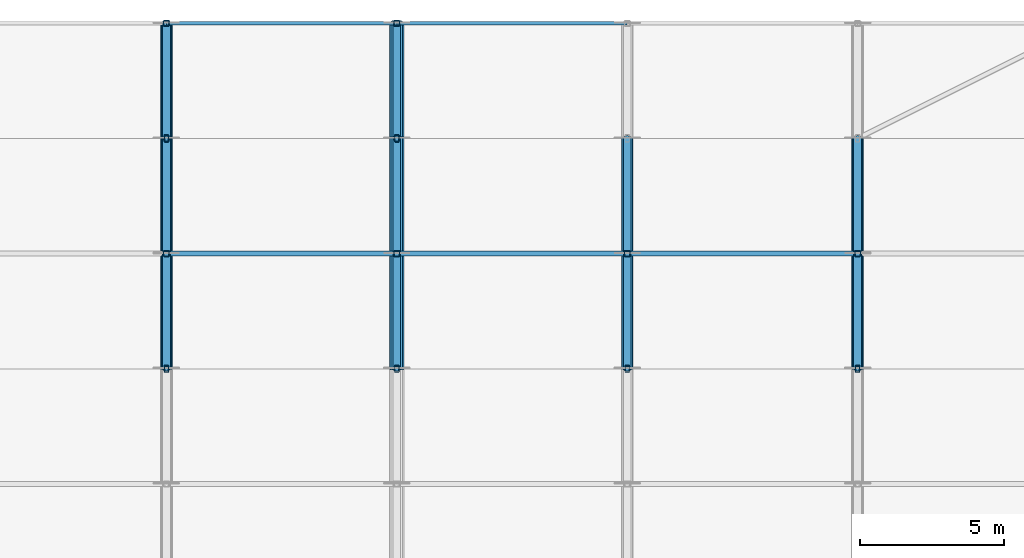
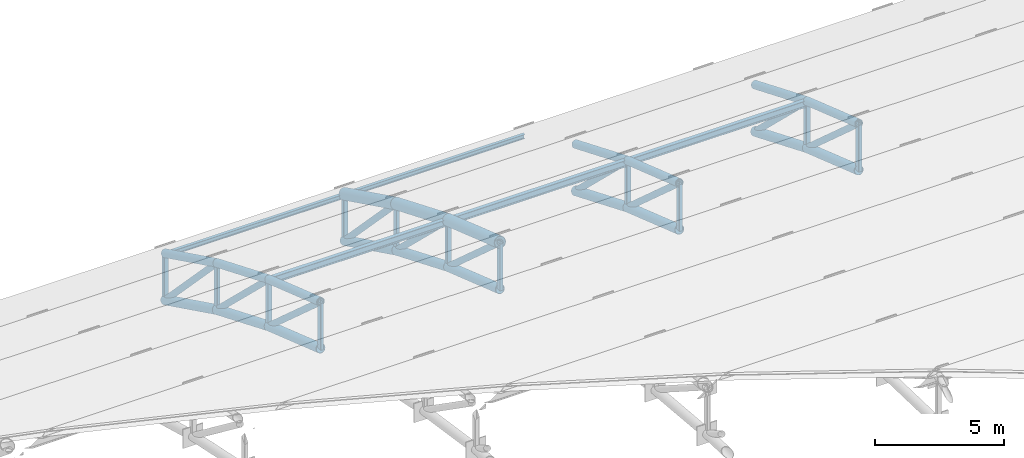
# One storey, part 33 of 98: 47 members.
"""IFC4 building model written with IfcOpenShell, lengths in metres."""

from ifc_helpers import new_model, si_unit, direction, frame, origin, origin_2d, place, context, subcontext, project, spatial, hollow_rectangle, hollow_circle, i_section, extrude, material, material_profile, profile_set, type_object, element, save


model = new_model("IFC4")

# Units and contexts
model_context = context("Model", 3, precision=1e-05, world=origin(), true_north=direction((0.0, 1.0)))
body_context = subcontext(model_context, "Body", "Model", "MODEL_VIEW")
ifc_project = project(units=[si_unit("LENGTHUNIT", "METRE"), si_unit("AREAUNIT", "SQUARE_METRE"), si_unit("VOLUMEUNIT", "CUBIC_METRE"), si_unit("PLANEANGLEUNIT", "RADIAN"), si_unit("MASSUNIT", "GRAM", prefix="KILO")], contexts=[model_context])

# Site, building, storey
site_placement = place(None, origin())
site = spatial("IfcSite", under=ifc_project, at=site_placement, CompositionType="ELEMENT")
building_placement = place(site_placement, origin())
building = spatial("IfcBuilding", under=site, at=building_placement, Name="Tlacozan Convention Centre", CompositionType="ELEMENT")
storey_placement = place(building_placement, frame((0.0, 0.0, 25.800048828125)))
storey = spatial("IfcBuildingStorey", under=building, at=storey_placement, Name="Roof", CompositionType="ELEMENT", Elevation=25.800048828125)

# Members
ifc_material_1 = material(Name="Steel ASTM A500 Grade C", Category="steel")
ifc_material_profile_1 = material_profile(ifc_material_1, hollow_circle(Radius=0.203125, WallThickness=0.015869140625, at=origin_2d()), Name="OC 406.4x15.9")
ifc_profile_set_1 = profile_set([ifc_material_profile_1], Name="Steel ASTM A500 Grade C")
member_type_1 = type_object("IfcMemberType", Name="Arch Bottom Chord OC 406.4x15.9", PredefinedType="CHORD", material=ifc_profile_set_1)
member_1_placement = place(storey_placement, frame((64.0, 114.0, -7.807861328125), z_axis=(0.0, 0.946164915813, -0.323684958077), x_axis=(-1.0, 0.0, 0.0)))
element("IfcMember", 1, at=member_1_placement, inside=storey, type_object=member_type_1, Name="V2A Roof Truss 9 Bottom Chord 14", PredefinedType="CHORD", context=body_context, shape_type="SweptSolid", body=[
    extrude(hollow_circle(Radius=0.203125, WallThickness=0.015869140625, at=origin_2d()), origin(), (0.0, 0.0, 1.0), 4.2275390625),
])
member_2_placement = place(storey_placement, frame((64.0, 118.0, -9.17626953125), z_axis=(0.0, 0.923948802258, -0.382516157575), x_axis=(-1.0, 0.0, 0.0)))
element("IfcMember", 2, at=member_2_placement, inside=storey, type_object=member_type_1, Name="V2A Roof Truss 9 Bottom Chord 15", PredefinedType="CHORD", context=body_context, shape_type="SweptSolid", body=[
    extrude(hollow_circle(Radius=0.203125, WallThickness=0.015869140625, at=origin_2d()), origin(), (0.0, 0.0, 1.0), 4.329345703125),
])
member_3_placement = place(storey_placement, frame((64.0, 122.0, -10.832275390625), z_axis=(0.0, 0.897300183135, -0.441420866459), x_axis=(-1.0, 0.0, 0.0)))
element("IfcMember", 3, at=member_3_placement, inside=storey, type_object=member_type_1, Name="V2A Roof Truss 9 Bottom Chord 16", PredefinedType="CHORD", context=body_context, shape_type="SweptSolid", body=[
    extrude(hollow_circle(Radius=0.203125, WallThickness=0.015869140625, at=origin_2d()), origin(), (0.0, 0.0, 1.0), 4.457763671875),
])
member_4_placement = place(storey_placement, frame((72.0, 114.0, -7.807861328125), z_axis=(0.0, 0.946164915813, -0.323684958077), x_axis=(-1.0, 0.0, 0.0)))
element("IfcMember", 4, at=member_4_placement, inside=storey, type_object=member_type_1, Name="V2A Roof Truss 10 Bottom Chord 14", PredefinedType="CHORD", context=body_context, shape_type="SweptSolid", body=[
    extrude(hollow_circle(Radius=0.203125, WallThickness=0.015869140625, at=origin_2d()), origin(), (0.0, 0.0, 1.0), 4.2275390625),
])
member_5_placement = place(storey_placement, frame((72.0, 118.0, -9.17626953125), z_axis=(0.0, 0.923948802258, -0.382516157575), x_axis=(-1.0, 0.0, 0.0)))
element("IfcMember", 5, at=member_5_placement, inside=storey, type_object=member_type_1, Name="V2A Roof Truss 10 Bottom Chord 15", PredefinedType="CHORD", context=body_context, shape_type="SweptSolid", body=[
    extrude(hollow_circle(Radius=0.203125, WallThickness=0.015869140625, at=origin_2d()), origin(), (0.0, 0.0, 1.0), 4.329345703125),
])
member_6_placement = place(storey_placement, frame((72.0, 122.0, -10.832275390625), z_axis=(0.0, 0.897300183135, -0.441420866459), x_axis=(-1.0, 0.0, 0.0)))
element("IfcMember", 6, at=member_6_placement, inside=storey, type_object=member_type_1, Name="V2A Roof Truss 10 Bottom Chord 16", PredefinedType="CHORD", context=body_context, shape_type="SweptSolid", body=[
    extrude(hollow_circle(Radius=0.203125, WallThickness=0.015869140625, at=origin_2d()), origin(), (0.0, 0.0, 1.0), 4.457763671875),
])
member_7_placement = place(storey_placement, frame((80.0, 114.0, -7.807861328125), z_axis=(0.0, 0.946164915813, -0.323684958077), x_axis=(-1.0, 0.0, 0.0)))
element("IfcMember", 7, at=member_7_placement, inside=storey, type_object=member_type_1, Name="V2A Roof Truss 11 Bottom Chord 14", PredefinedType="CHORD", context=body_context, shape_type="SweptSolid", body=[
    extrude(hollow_circle(Radius=0.203125, WallThickness=0.015869140625, at=origin_2d()), origin(), (0.0, 0.0, 1.0), 4.2275390625),
])
member_8_placement = place(storey_placement, frame((80.0, 118.0, -9.17626953125), z_axis=(0.0, 0.923948802258, -0.382516157575), x_axis=(-1.0, 0.0, 0.0)))
element("IfcMember", 8, at=member_8_placement, inside=storey, type_object=member_type_1, Name="V2A Roof Truss 11 Bottom Chord 15", PredefinedType="CHORD", context=body_context, shape_type="SweptSolid", body=[
    extrude(hollow_circle(Radius=0.203125, WallThickness=0.015869140625, at=origin_2d()), origin(), (0.0, 0.0, 1.0), 4.329345703125),
])
member_9_placement = place(storey_placement, frame((88.0, 114.0, -7.807861328125), z_axis=(0.0, 0.946164915813, -0.323684958077), x_axis=(-1.0, 0.0, 0.0)))
element("IfcMember", 9, at=member_9_placement, inside=storey, type_object=member_type_1, Name="V2A Roof Truss 12 Bottom Chord 14", PredefinedType="CHORD", context=body_context, shape_type="SweptSolid", body=[
    extrude(hollow_circle(Radius=0.203125, WallThickness=0.015869140625, at=origin_2d()), origin(), (0.0, 0.0, 1.0), 4.2275390625),
])
member_10_placement = place(storey_placement, frame((88.0, 118.0, -9.17626953125), z_axis=(0.0, 0.923948802258, -0.382516157575), x_axis=(-1.0, 0.0, 0.0)))
element("IfcMember", 10, at=member_10_placement, inside=storey, type_object=member_type_1, Name="V2A Roof Truss 12 Bottom Chord 15", PredefinedType="CHORD", context=body_context, shape_type="SweptSolid", body=[
    extrude(hollow_circle(Radius=0.203125, WallThickness=0.015869140625, at=origin_2d()), origin(), (0.0, 0.0, 1.0), 4.329345703125),
])
ifc_material_profile_2 = material_profile(ifc_material_1, hollow_circle(Radius=0.25390625, WallThickness=0.01904296875, at=origin_2d()), Name="OC 508.0x19.1")
ifc_profile_set_2 = profile_set([ifc_material_profile_2], Name="Steel ASTM A500 Grade C")
member_type_2 = type_object("IfcMemberType", Name="Arch Top Chord OC 508x19.1", PredefinedType="CHORD", material=ifc_profile_set_2)
member_11_placement = place(storey_placement, frame((72.0, 114.0, -5.607666015625), z_axis=(0.0, 0.946164915813, -0.323684958077), x_axis=(-1.0, 0.0, 0.0)))
element("IfcMember", 11, at=member_11_placement, inside=storey, type_object=member_type_2, Name="V2A Roof Truss 10 Top Chord 14", PredefinedType="CHORD", context=body_context, shape_type="SweptSolid", body=[
    extrude(hollow_circle(Radius=0.25390625, WallThickness=0.01904296875, at=origin_2d()), origin(), (0.0, 0.0, 1.0), 4.2275390625),
])
member_12_placement = place(storey_placement, frame((72.0, 118.0, -6.97607421875), z_axis=(0.0, 0.923928870591, -0.382564297979), x_axis=(-1.0, 0.0, 0.0)))
element("IfcMember", 12, at=member_12_placement, inside=storey, type_object=member_type_2, Name="V2A Roof Truss 10 Top Chord 15", PredefinedType="CHORD", context=body_context, shape_type="SweptSolid", body=[
    extrude(hollow_circle(Radius=0.25390625, WallThickness=0.01904296875, at=origin_2d()), origin(), (0.0, 0.0, 1.0), 4.329345703125),
])
member_13_placement = place(storey_placement, frame((72.0, 122.0, -8.63232421875), z_axis=(0.0, 0.897300183135, -0.441420866459), x_axis=(-1.0, 0.0, 0.0)))
element("IfcMember", 13, at=member_13_placement, inside=storey, type_object=member_type_2, Name="V2A Roof Truss 10 Top Chord 16", PredefinedType="CHORD", context=body_context, shape_type="SweptSolid", body=[
    extrude(hollow_circle(Radius=0.25390625, WallThickness=0.01904296875, at=origin_2d()), origin(), (0.0, 0.0, 1.0), 4.457763671875),
])
ifc_material_profile_3 = material_profile(ifc_material_1, hollow_circle(Radius=0.136474609375, WallThickness=0.0126953125, at=origin_2d()), Name="OC 273.1x12.7")
ifc_profile_set_3 = profile_set([ifc_material_profile_3], Name="Steel ASTM A500 Grade C")
member_type_3 = type_object("IfcMemberType", Name="Arch Web Diagonal OC 273.1x12.7", PredefinedType="BRACE", material=ifc_profile_set_3)
member_14_placement = place(storey_placement, frame((64.0, 114.0, -5.607666015625), z_axis=(0.0, 0.746199427712, -0.665722475272), x_axis=(-1.0, 0.0, 0.0)))
element("IfcMember", 14, at=member_14_placement, inside=storey, type_object=member_type_3, Name="V2A Roof Truss 9 Web Diagonal 14", PredefinedType="BRACE", context=body_context, shape_type="SweptSolid", body=[
    extrude(hollow_circle(Radius=0.136474609375, WallThickness=0.0126953125, at=origin_2d()), origin(), (0.0, 0.0, 1.0), 5.360595703125),
])
member_15_placement = place(storey_placement, frame((64.0, 118.0, -6.97607421875), z_axis=(0.0, 0.719928977367, -0.694047741547), x_axis=(-1.0, 0.0, 0.0)))
element("IfcMember", 15, at=member_15_placement, inside=storey, type_object=member_type_3, Name="V2A Roof Truss 9 Web Diagonal 15", PredefinedType="BRACE", context=body_context, shape_type="SweptSolid", body=[
    extrude(hollow_circle(Radius=0.136474609375, WallThickness=0.0126953125, at=origin_2d()), origin(), (0.0, 0.0, 1.0), 5.55615234375),
])
member_16_placement = place(storey_placement, frame((64.0, 122.0, -8.63232421875), z_axis=(0.0, 0.69244032859, -0.721475149497), x_axis=(-1.0, 0.0, 0.0)))
element("IfcMember", 16, at=member_16_placement, inside=storey, type_object=member_type_3, Name="V2A Roof Truss 9 Web Diagonal 16", PredefinedType="BRACE", context=body_context, shape_type="SweptSolid", body=[
    extrude(hollow_circle(Radius=0.136474609375, WallThickness=0.0126953125, at=origin_2d()), origin(), (0.0, 0.0, 1.0), 5.776611328125),
])
member_17_placement = place(storey_placement, frame((72.0, 114.0, -5.607666015625), z_axis=(0.0, 0.746199427712, -0.665722475272), x_axis=(-1.0, 0.0, 0.0)))
element("IfcMember", 17, at=member_17_placement, inside=storey, type_object=member_type_3, Name="V2A Roof Truss 10 Web Diagonal 14", PredefinedType="BRACE", context=body_context, shape_type="SweptSolid", body=[
    extrude(hollow_circle(Radius=0.136474609375, WallThickness=0.0126953125, at=origin_2d()), origin(), (0.0, 0.0, 1.0), 5.360595703125),
])
member_18_placement = place(storey_placement, frame((72.0, 118.0, -6.97607421875), z_axis=(0.0, 0.719928977367, -0.694047741547), x_axis=(-1.0, 0.0, 0.0)))
element("IfcMember", 18, at=member_18_placement, inside=storey, type_object=member_type_3, Name="V2A Roof Truss 10 Web Diagonal 15", PredefinedType="BRACE", context=body_context, shape_type="SweptSolid", body=[
    extrude(hollow_circle(Radius=0.136474609375, WallThickness=0.0126953125, at=origin_2d()), origin(), (0.0, 0.0, 1.0), 5.55615234375),
])
member_19_placement = place(storey_placement, frame((72.0, 122.0, -8.63232421875), z_axis=(0.0, 0.69244032859, -0.721475149497), x_axis=(-1.0, 0.0, 0.0)))
element("IfcMember", 19, at=member_19_placement, inside=storey, type_object=member_type_3, Name="V2A Roof Truss 10 Web Diagonal 16", PredefinedType="BRACE", context=body_context, shape_type="SweptSolid", body=[
    extrude(hollow_circle(Radius=0.136474609375, WallThickness=0.0126953125, at=origin_2d()), origin(), (0.0, 0.0, 1.0), 5.776611328125),
])
member_20_placement = place(storey_placement, frame((80.0, 114.0, -5.607666015625), z_axis=(0.0, 0.746199427712, -0.665722475272), x_axis=(-1.0, 0.0, 0.0)))
element("IfcMember", 20, at=member_20_placement, inside=storey, type_object=member_type_3, Name="V2A Roof Truss 11 Web Diagonal 14", PredefinedType="BRACE", context=body_context, shape_type="SweptSolid", body=[
    extrude(hollow_circle(Radius=0.136474609375, WallThickness=0.0126953125, at=origin_2d()), origin(), (0.0, 0.0, 1.0), 5.360595703125),
])
member_21_placement = place(storey_placement, frame((80.0, 118.0, -6.97607421875), z_axis=(0.0, 0.719928977367, -0.694047741547), x_axis=(-1.0, 0.0, 0.0)))
element("IfcMember", 21, at=member_21_placement, inside=storey, type_object=member_type_3, Name="V2A Roof Truss 11 Web Diagonal 15", PredefinedType="BRACE", context=body_context, shape_type="SweptSolid", body=[
    extrude(hollow_circle(Radius=0.136474609375, WallThickness=0.0126953125, at=origin_2d()), origin(), (0.0, 0.0, 1.0), 5.55615234375),
])
member_22_placement = place(storey_placement, frame((88.0, 114.0, -5.607666015625), z_axis=(0.0, 0.746199427712, -0.665722475272), x_axis=(-1.0, 0.0, 0.0)))
element("IfcMember", 22, at=member_22_placement, inside=storey, type_object=member_type_3, Name="V2A Roof Truss 12 Web Diagonal 14", PredefinedType="BRACE", context=body_context, shape_type="SweptSolid", body=[
    extrude(hollow_circle(Radius=0.136474609375, WallThickness=0.0126953125, at=origin_2d()), origin(), (0.0, 0.0, 1.0), 5.360595703125),
])
member_23_placement = place(storey_placement, frame((88.0, 118.0, -6.97607421875), z_axis=(0.0, 0.719928977367, -0.694047741547), x_axis=(-1.0, 0.0, 0.0)))
element("IfcMember", 23, at=member_23_placement, inside=storey, type_object=member_type_3, Name="V2A Roof Truss 12 Web Diagonal 15", PredefinedType="BRACE", context=body_context, shape_type="SweptSolid", body=[
    extrude(hollow_circle(Radius=0.136474609375, WallThickness=0.0126953125, at=origin_2d()), origin(), (0.0, 0.0, 1.0), 5.55615234375),
])
ifc_material_profile_4 = material_profile(ifc_material_1, hollow_rectangle(XDim=0.203125, YDim=0.203125, WallThickness=0.0126953125, InnerFilletRadius=0.0126953125, OuterFilletRadius=0.02490234375, at=origin_2d()), Name="OR 203x203x12.7")
ifc_profile_set_4 = profile_set([ifc_material_profile_4], Name="Steel ASTM A500 Grade C")
member_type_4 = type_object("IfcMemberType", Name="Arch Web Strut OR 203x203x12.7", PredefinedType="STRUT", material=ifc_profile_set_4)
member_24_placement = place(storey_placement, frame((64.0, 118.0, -9.17626953125), z_axis=(0.0, 0.0, 1.0), x_axis=(1.0, 0.0, 0.0)))
element("IfcMember", 24, at=member_24_placement, inside=storey, type_object=member_type_4, Name="V2A Roof Truss 9 Vertical Strut 15", PredefinedType="STRUT", context=body_context, shape_type="SweptSolid", body=[
    extrude(hollow_rectangle(XDim=0.203125, YDim=0.203125, WallThickness=0.0126953125, InnerFilletRadius=0.0126953125, OuterFilletRadius=0.02490234375, at=origin_2d()), origin(), (0.0, 0.0, 1.0), 2.2001953125),
])
member_25_placement = place(storey_placement, frame((64.0, 126.0, -12.800048828125), z_axis=(0.0, 0.0, 1.0), x_axis=(1.0, 0.0, 0.0)))
element("IfcMember", 25, at=member_25_placement, inside=storey, type_object=member_type_4, Name="V2A Roof Truss 9 Vertical Strut 17", PredefinedType="STRUT", context=body_context, shape_type="SweptSolid", body=[
    extrude(hollow_rectangle(XDim=0.203125, YDim=0.203125, WallThickness=0.0126953125, InnerFilletRadius=0.0126953125, OuterFilletRadius=0.02490234375, at=origin_2d()), origin(), (0.0, 0.0, 1.0), 2.199951171875),
])
member_26_placement = place(storey_placement, frame((72.0, 118.0, -9.17626953125), z_axis=(0.0, 0.0, 1.0), x_axis=(1.0, 0.0, 0.0)))
element("IfcMember", 26, at=member_26_placement, inside=storey, type_object=member_type_4, Name="V2A Roof Truss 10 Vertical Strut 15", PredefinedType="STRUT", context=body_context, shape_type="SweptSolid", body=[
    extrude(hollow_rectangle(XDim=0.203125, YDim=0.203125, WallThickness=0.0126953125, InnerFilletRadius=0.0126953125, OuterFilletRadius=0.02490234375, at=origin_2d()), origin(), (0.0, 0.0, 1.0), 2.2001953125),
])
member_27_placement = place(storey_placement, frame((72.0, 126.0, -12.800048828125), z_axis=(0.0, 0.0, 1.0), x_axis=(1.0, 0.0, 0.0)))
element("IfcMember", 27, at=member_27_placement, inside=storey, type_object=member_type_4, Name="V2A Roof Truss 10 Vertical Strut 17", PredefinedType="STRUT", context=body_context, shape_type="SweptSolid", body=[
    extrude(hollow_rectangle(XDim=0.203125, YDim=0.203125, WallThickness=0.0126953125, InnerFilletRadius=0.0126953125, OuterFilletRadius=0.02490234375, at=origin_2d()), origin(), (0.0, 0.0, 1.0), 2.199951171875),
])
for number, where, z_axis, x_axis, name in (
    (28, (80.0, 118.0, -9.17626953125), (0.0, 0.0, 1.0), (1.0, 0.0, 0.0), "V2A Roof Truss 11 Vertical Strut 15"),
    (29, (88.0, 118.0, -9.17626953125), (0.0, 0.0, 1.0), (1.0, 0.0, 0.0), "V2A Roof Truss 12 Vertical Strut 15"),
):
    element("IfcMember", number, at=place(storey_placement, frame(where, z_axis=z_axis, x_axis=x_axis)), inside=storey, type_object=member_type_4, Name=name, PredefinedType="STRUT", context=body_context, shape_type="SweptSolid", body=[
        extrude(hollow_rectangle(XDim=0.203125, YDim=0.203125, WallThickness=0.0126953125, InnerFilletRadius=0.0126953125, OuterFilletRadius=0.02490234375, at=origin_2d()), origin(), (0.0, 0.0, 1.0), 2.2001953125),
    ])
ifc_material_2 = material(Name="Steel ASTM A992 Grade 50", Category="steel")
ifc_material_profile_5 = material_profile(ifc_material_2, i_section(OverallWidth=0.1669921875, OverallDepth=0.31689453125, WebThickness=0.007568359375, FlangeThickness=0.01318359375, FilletRadius=0.010009765625, at=origin_2d()), Name="IR 305x52.2")
ifc_profile_set_5 = profile_set([ifc_material_profile_5], Name="Steel ASTM A992 Grade 50")
member_type_5 = type_object("IfcMemberType", Name="Roof Purlin IR 305x52.2", PredefinedType="PURLIN", material=ifc_profile_set_5)
for number, where, z_axis, x_axis, name in (
    (30, (64.0, 118.0, -7.041259765625), (1.0, 0.0, 0.0), (0.0, 1.0, 0.0), "V2A Roof Truss Purlin 9.15"),
    (31, (72.0, 118.0, -7.041259765625), (1.0, 0.0, 0.0), (0.0, 1.0, 0.0), "V2A Roof Truss Purlin 10.15"),
    (32, (80.0, 118.0, -7.041259765625), (1.0, 0.0, 0.0), (0.0, 1.0, 0.0), "V2A Roof Truss Purlin 11.15"),
):
    element("IfcMember", number, at=place(storey_placement, frame(where, z_axis=z_axis, x_axis=x_axis)), inside=storey, type_object=member_type_5, Name=name, PredefinedType="PURLIN", context=body_context, shape_type="SweptSolid", body=[
        extrude(i_section(OverallWidth=0.1669921875, OverallDepth=0.31689453125, WebThickness=0.007568359375, FlangeThickness=0.01318359375, FilletRadius=0.010009765625, at=origin_2d()), origin(), (0.0, 0.0, 1.0), 8.0),
    ])
ifc_material_profile_6 = material_profile(ifc_material_1, hollow_circle(Radius=0.177734375, WallThickness=0.015869140625, at=origin_2d()), Name="OC 355.6x15.9")
ifc_profile_set_6 = profile_set([ifc_material_profile_6], Name="Steel ASTM A500 Grade C")
member_type_6 = type_object("IfcMemberType", Name="Secondary Arch Chord OC 355.6x15.9", PredefinedType="CHORD", material=ifc_profile_set_6)
member_28_placement = place(storey_placement, frame((64.0, 114.0, -5.607666015625), z_axis=(0.0, 0.946164915813, -0.323684958077), x_axis=(-1.0, 0.0, 0.0)))
element("IfcMember", 33, at=member_28_placement, inside=storey, type_object=member_type_6, Name="V2A Roof Truss 9 Top Chord 14", PredefinedType="CHORD", context=body_context, shape_type="SweptSolid", body=[
    extrude(hollow_circle(Radius=0.177734375, WallThickness=0.015869140625, at=origin_2d()), origin(), (0.0, 0.0, 1.0), 4.2275390625),
])
member_29_placement = place(storey_placement, frame((64.0, 118.0, -6.97607421875), z_axis=(0.0, 0.923928870591, -0.382564297979), x_axis=(-1.0, 0.0, 0.0)))
element("IfcMember", 34, at=member_29_placement, inside=storey, type_object=member_type_6, Name="V2A Roof Truss 9 Top Chord 15", PredefinedType="CHORD", context=body_context, shape_type="SweptSolid", body=[
    extrude(hollow_circle(Radius=0.177734375, WallThickness=0.015869140625, at=origin_2d()), origin(), (0.0, 0.0, 1.0), 4.329345703125),
])
member_30_placement = place(storey_placement, frame((64.0, 122.0, -8.63232421875), z_axis=(0.0, 0.897300183135, -0.441420866459), x_axis=(-1.0, 0.0, 0.0)))
element("IfcMember", 35, at=member_30_placement, inside=storey, type_object=member_type_6, Name="V2A Roof Truss 9 Top Chord 16", PredefinedType="CHORD", context=body_context, shape_type="SweptSolid", body=[
    extrude(hollow_circle(Radius=0.177734375, WallThickness=0.015869140625, at=origin_2d()), origin(), (0.0, 0.0, 1.0), 4.457763671875),
])
member_31_placement = place(storey_placement, frame((80.0, 114.0, -5.607666015625), z_axis=(0.0, 0.946164915813, -0.323684958077), x_axis=(-1.0, 0.0, 0.0)))
element("IfcMember", 36, at=member_31_placement, inside=storey, type_object=member_type_6, Name="V2A Roof Truss 11 Top Chord 14", PredefinedType="CHORD", context=body_context, shape_type="SweptSolid", body=[
    extrude(hollow_circle(Radius=0.177734375, WallThickness=0.015869140625, at=origin_2d()), origin(), (0.0, 0.0, 1.0), 4.2275390625),
])
member_32_placement = place(storey_placement, frame((80.0, 118.0, -6.97607421875), z_axis=(0.0, 0.923928870591, -0.382564297979), x_axis=(-1.0, 0.0, 0.0)))
element("IfcMember", 37, at=member_32_placement, inside=storey, type_object=member_type_6, Name="V2A Roof Truss 11 Top Chord 15", PredefinedType="CHORD", context=body_context, shape_type="SweptSolid", body=[
    extrude(hollow_circle(Radius=0.177734375, WallThickness=0.015869140625, at=origin_2d()), origin(), (0.0, 0.0, 1.0), 4.329345703125),
])
member_33_placement = place(storey_placement, frame((88.0, 114.0, -5.607666015625), z_axis=(0.0, 0.946164915813, -0.323684958077), x_axis=(-1.0, 0.0, 0.0)))
element("IfcMember", 38, at=member_33_placement, inside=storey, type_object=member_type_6, Name="V2A Roof Truss 12 Top Chord 14", PredefinedType="CHORD", context=body_context, shape_type="SweptSolid", body=[
    extrude(hollow_circle(Radius=0.177734375, WallThickness=0.015869140625, at=origin_2d()), origin(), (0.0, 0.0, 1.0), 4.2275390625),
])
member_34_placement = place(storey_placement, frame((88.0, 118.0, -6.97607421875), z_axis=(0.0, 0.923928870591, -0.382564297979), x_axis=(-1.0, 0.0, 0.0)))
element("IfcMember", 39, at=member_34_placement, inside=storey, type_object=member_type_6, Name="V2A Roof Truss 12 Top Chord 15", PredefinedType="CHORD", context=body_context, shape_type="SweptSolid", body=[
    extrude(hollow_circle(Radius=0.177734375, WallThickness=0.015869140625, at=origin_2d()), origin(), (0.0, 0.0, 1.0), 4.329345703125),
])
ifc_material_profile_7 = material_profile(ifc_material_2, i_section(OverallWidth=0.134033203125, OverallDepth=0.2099609375, WebThickness=0.00634765625, FlangeThickness=0.01025390625, FilletRadius=0.008056640625, at=origin_2d()), Name="IR 203x31.3")
ifc_profile_set_7 = profile_set([ifc_material_profile_7], Name="Steel ASTM A992 Grade 50")
member_type_7 = type_object("IfcMemberType", Name="Secondary Eave Purlin IR 203x31.3", PredefinedType="PURLIN", material=ifc_profile_set_7)
for number, where, z_axis, x_axis, name in (
    (40, (64.0, 126.0, -10.6650390625), (1.0, 0.0, 0.0), (0.0, 1.0, 0.0), "V2A Roof Truss Purlin 9.17"),
    (41, (72.0, 126.0, -10.6650390625), (1.0, 0.0, 0.0), (0.0, 1.0, 0.0), "V2A Roof Truss Purlin 10.17"),
):
    element("IfcMember", number, at=place(storey_placement, frame(where, z_axis=z_axis, x_axis=x_axis)), inside=storey, type_object=member_type_7, Name=name, PredefinedType="PURLIN", context=body_context, shape_type="SweptSolid", body=[
        extrude(i_section(OverallWidth=0.134033203125, OverallDepth=0.2099609375, WebThickness=0.00634765625, FlangeThickness=0.01025390625, FilletRadius=0.008056640625, at=origin_2d()), origin(), (0.0, 0.0, 1.0), 8.0),
    ])
ifc_material_profile_8 = material_profile(ifc_material_1, hollow_rectangle(XDim=0.15234375, YDim=0.25390625, WallThickness=0.0126953125, InnerFilletRadius=0.0126953125, OuterFilletRadius=0.02490234375, at=origin_2d()), Name="OR 254x152x12.7")
ifc_profile_set_8 = profile_set([ifc_material_profile_8], Name="Steel ASTM A500 Grade C")
member_type_8 = type_object("IfcMemberType", Name="Truss Secondary Strut OR 254x152x12.7", PredefinedType="STRUT", material=ifc_profile_set_8)
member_35_placement = place(storey_placement, frame((64.0, 114.0, -7.807861328125), z_axis=(0.0, 0.0, 1.0), x_axis=(1.0, 0.0, 0.0)))
element("IfcMember", 42, at=member_35_placement, inside=storey, type_object=member_type_8, Name="V2A Roof Truss 9 Vertical Strut 14", PredefinedType="STRUT", context=body_context, shape_type="SweptSolid", body=[
    extrude(hollow_rectangle(XDim=0.15234375, YDim=0.25390625, WallThickness=0.0126953125, InnerFilletRadius=0.0126953125, OuterFilletRadius=0.02490234375, at=origin_2d()), origin(), (0.0, 0.0, 1.0), 2.2001953125),
])
member_36_placement = place(storey_placement, frame((64.0, 122.0, -10.832275390625), z_axis=(0.0, 0.0, 1.0), x_axis=(1.0, 0.0, 0.0)))
element("IfcMember", 43, at=member_36_placement, inside=storey, type_object=member_type_8, Name="V2A Roof Truss 9 Vertical Strut 16", PredefinedType="STRUT", context=body_context, shape_type="SweptSolid", body=[
    extrude(hollow_rectangle(XDim=0.15234375, YDim=0.25390625, WallThickness=0.0126953125, InnerFilletRadius=0.0126953125, OuterFilletRadius=0.02490234375, at=origin_2d()), origin(), (0.0, 0.0, 1.0), 2.199951171875),
])
member_37_placement = place(storey_placement, frame((72.0, 114.0, -7.807861328125), z_axis=(0.0, 0.0, 1.0), x_axis=(1.0, 0.0, 0.0)))
element("IfcMember", 44, at=member_37_placement, inside=storey, type_object=member_type_8, Name="V2A Roof Truss 10 Vertical Strut 14", PredefinedType="STRUT", context=body_context, shape_type="SweptSolid", body=[
    extrude(hollow_rectangle(XDim=0.15234375, YDim=0.25390625, WallThickness=0.0126953125, InnerFilletRadius=0.0126953125, OuterFilletRadius=0.02490234375, at=origin_2d()), origin(), (0.0, 0.0, 1.0), 2.2001953125),
])
member_38_placement = place(storey_placement, frame((72.0, 122.0, -10.832275390625), z_axis=(0.0, 0.0, 1.0), x_axis=(1.0, 0.0, 0.0)))
element("IfcMember", 45, at=member_38_placement, inside=storey, type_object=member_type_8, Name="V2A Roof Truss 10 Vertical Strut 16", PredefinedType="STRUT", context=body_context, shape_type="SweptSolid", body=[
    extrude(hollow_rectangle(XDim=0.15234375, YDim=0.25390625, WallThickness=0.0126953125, InnerFilletRadius=0.0126953125, OuterFilletRadius=0.02490234375, at=origin_2d()), origin(), (0.0, 0.0, 1.0), 2.199951171875),
])
for number, where, z_axis, x_axis, name in (
    (46, (80.0, 114.0, -7.807861328125), (0.0, 0.0, 1.0), (1.0, 0.0, 0.0), "V2A Roof Truss 11 Vertical Strut 14"),
    (47, (88.0, 114.0, -7.807861328125), (0.0, 0.0, 1.0), (1.0, 0.0, 0.0), "V2A Roof Truss 12 Vertical Strut 14"),
):
    element("IfcMember", number, at=place(storey_placement, frame(where, z_axis=z_axis, x_axis=x_axis)), inside=storey, type_object=member_type_8, Name=name, PredefinedType="STRUT", context=body_context, shape_type="SweptSolid", body=[
        extrude(hollow_rectangle(XDim=0.15234375, YDim=0.25390625, WallThickness=0.0126953125, InnerFilletRadius=0.0126953125, OuterFilletRadius=0.02490234375, at=origin_2d()), origin(), (0.0, 0.0, 1.0), 2.2001953125),
    ])

save(model, "model.ifc")
